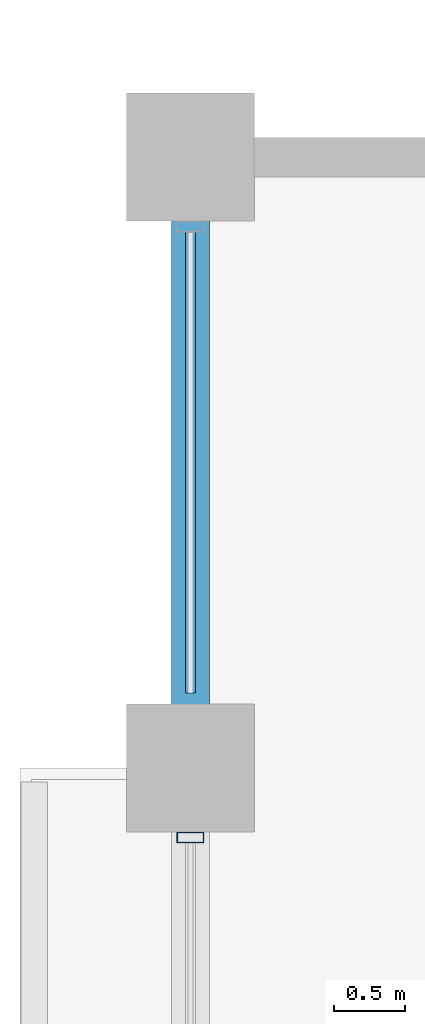
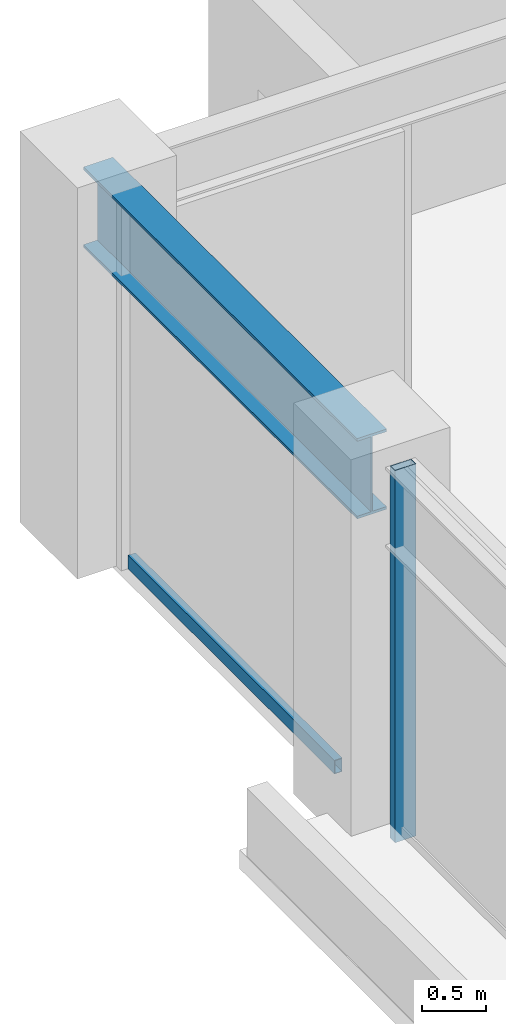
# One storey, part 16 of 31: 2 members, 1 beam, 1 element without a shape of its own.
"""IFC4 building model written with IfcOpenShell, lengths in metres."""

from ifc_helpers import new_model, si_unit, direction, frame, origin, origin_2d, place, context, subcontext, project, spatial, hollow_rectangle, i_section, extrude, material, layer, layer_set, material_profile, profile_set, type_object, element, aggregate, save


model = new_model("IFC4")

# Units and contexts
model_context = context("Model", 3, precision=1e-05, world=origin(), true_north=direction((0.0, 1.0)))
body_context = subcontext(model_context, "Body", "Model", "MODEL_VIEW")
ifc_project = project(units=[si_unit("LENGTHUNIT", "METRE"), si_unit("AREAUNIT", "SQUARE_METRE"), si_unit("VOLUMEUNIT", "CUBIC_METRE"), si_unit("PLANEANGLEUNIT", "RADIAN"), si_unit("MASSUNIT", "GRAM", prefix="KILO")], contexts=[model_context])

# Site, building, storey
site_placement = place(None, origin())
site = spatial("IfcSite", under=ifc_project, at=site_placement, CompositionType="ELEMENT")
building_placement = place(site_placement, origin())
building = spatial("IfcBuilding", under=site, at=building_placement, Name="Surkhivell Harbour Commons", CompositionType="ELEMENT")
storey_placement = place(building_placement, frame((0.0, 0.0, 193.5)))
storey = spatial("IfcBuildingStorey", under=building, at=storey_placement, Name="L50", CompositionType="ELEMENT", Elevation=193.5)

# Beam
ifc_material_1 = material(Name="Steel S355", Category="steel")
ifc_material_profile_1 = material_profile(ifc_material_1, i_section(OverallWidth=0.26806640625, OverallDepth=0.77001953125, WebThickness=0.015625, FlangeThickness=0.025390625, at=origin_2d()), Name="UB762x267x197")
ifc_profile_set_1 = profile_set([ifc_material_profile_1], Name="Steel S355")
beam_type = type_object("IfcBeamType", Name="BM-SPN-762", PredefinedType="SPANDREL", material=ifc_profile_set_1)
beam_placement = place(storey_placement, frame((-27.0, 16.199951171875, 3.18505859375), z_axis=(0.0, 1.0, 0.0), x_axis=(-1.0, 0.0, 0.0)))
element("IfcBeam", 1, at=beam_placement, inside=storey, type_object=beam_type, Name="L50 Tube Spandrel (-27.0,16.2)", PredefinedType="SPANDREL", context=body_context, shape_type="SweptSolid", body=[
    extrude(i_section(OverallWidth=0.26806640625, OverallDepth=0.77001953125, WebThickness=0.015625, FlangeThickness=0.025390625, at=origin_2d()), origin(), (0.0, 0.0, 1.0), 4.300048828125),
])

# Curtain wall, members
ifc_material_2 = material(Name="Anodised pale-metal aluminium and insulated glazing", Category="aluminium")
ifc_layer = layer(ifc_material_2, 0.18994140625)
ifc_layer_set = layer_set([ifc_layer], Name="Anodised pale-metal aluminium and insulated glazing")
curtain_wall_type = type_object("IfcCurtainWallType", Name="CW-SYS-Z3", PredefinedType="NOTDEFINED", material=ifc_layer_set)
curtain_wall_placement = place(storey_placement, origin())
curtain_wall = element("IfcCurtainWall", 2, at=curtain_wall_placement, inside=storey, type_object=curtain_wall_type, Name="L50 Curtain Wall CW-L50-E12S1", PredefinedType="NOTDEFINED")
ifc_material_3 = material(Name="Anodised pale-metal aluminium alloy 6063-T6", Category="aluminium")
ifc_material_profile_2 = material_profile(ifc_material_3, hollow_rectangle(XDim=0.074951171875, YDim=0.18994140625, WallThickness=0.00390625, at=origin_2d()), Name="ALU-MULL-75x190")
ifc_profile_set_2 = profile_set([ifc_material_profile_2], Name="Anodised pale-metal aluminium alloy 6063-T6")
member_type_1 = type_object("IfcMemberType", Name="CWM-190", PredefinedType="MULLION", material=ifc_profile_set_2)
member_1_placement = place(storey_placement, frame((-27.0, 15.71044921875, 0.0), z_axis=(0.0, 0.0, 1.0), x_axis=(0.0, -1.0, 0.0)))
member_1 = element("IfcMember", 3, at=member_1_placement, type_object=member_type_1, Name="CW-Z3 mullion 2", PredefinedType="MULLION", context=body_context, shape_type="SweptSolid", body=[
    extrude(hollow_rectangle(XDim=0.074951171875, YDim=0.18994140625, WallThickness=0.00390625, at=origin_2d()), origin(), (0.0, 0.0, 1.0), 3.570068359375),
])
ifc_material_4 = material(Name="Champagne anodised aluminium alloy 6063-T6", Category="aluminium")
ifc_material_profile_3 = material_profile(ifc_material_4, hollow_rectangle(XDim=0.070068359375, YDim=0.1298828125, WallThickness=0.00341796875, at=origin_2d()), Name="ALU-TRAN-70x130")
ifc_profile_set_3 = profile_set([ifc_material_profile_3], Name="Champagne anodised aluminium alloy 6063-T6")
member_type_2 = type_object("IfcMemberType", Name="CWT-130", PredefinedType="USERDEFINED", material=ifc_profile_set_3)
member_2_placement = place(storey_placement, frame((-27.0, 19.972900390625, 0.06494140625), z_axis=(0.0, -1.0, 0.0), x_axis=(1.0, 0.0, 0.0)))
member_2 = element("IfcMember", 4, at=member_2_placement, type_object=member_type_2, Name="CW-Z3 transom 1.1", ObjectType="TRANSOM", PredefinedType="USERDEFINED", context=body_context, shape_type="SweptSolid", body=[
    extrude(hollow_rectangle(XDim=0.070068359375, YDim=0.1298828125, WallThickness=0.00341796875, at=origin_2d()), origin(), (0.0, 0.0, 1.0), 3.245849609375),
])
aggregate(curtain_wall, [member_2, member_1])

save(model, "model.ifc")
